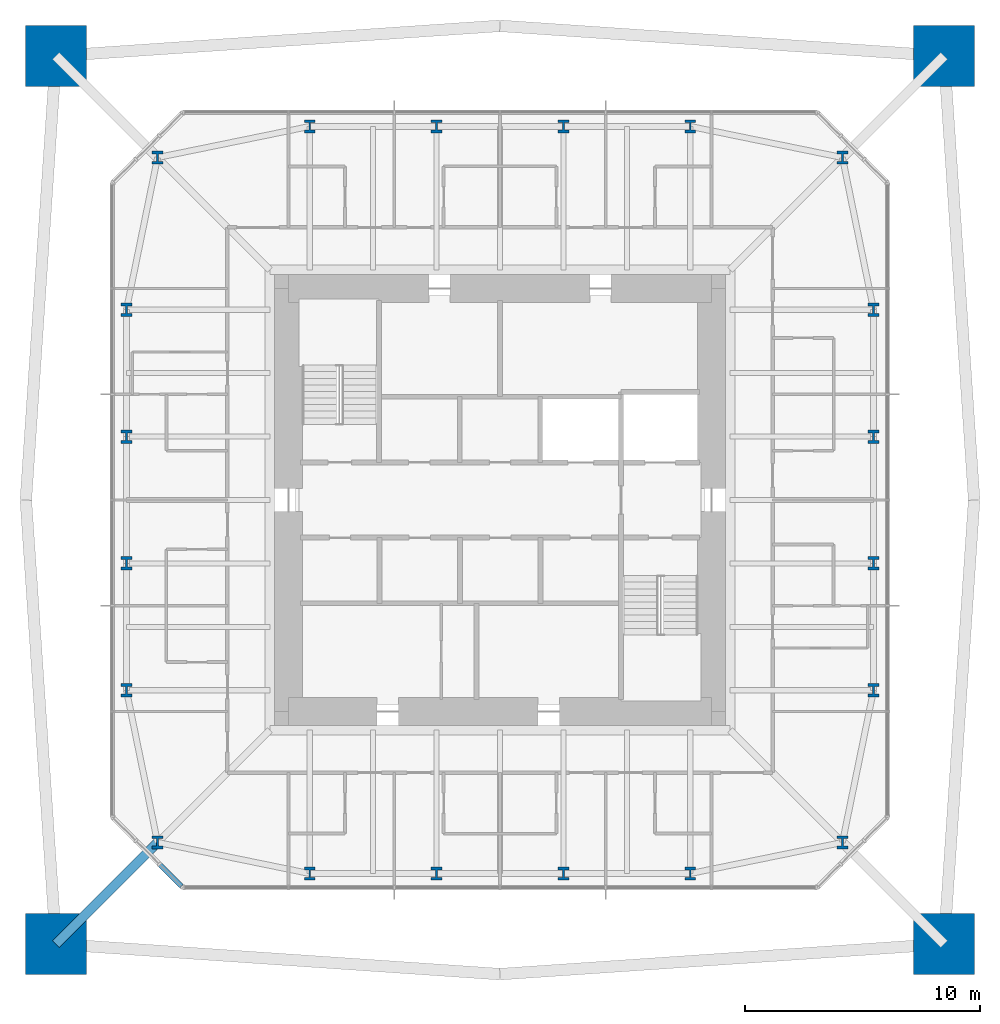
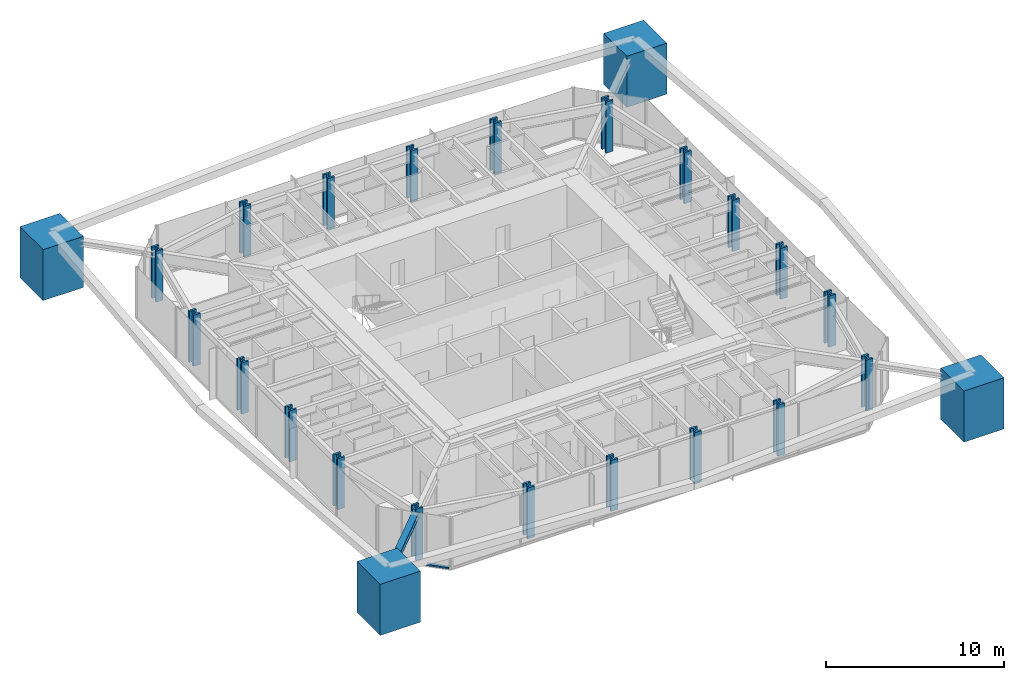
# One storey, part 1 of 11: 24 columns, 2 members, 1 element without a shape of its own.
"""IFC4 building model written with IfcOpenShell, lengths in metres."""

from ifc_helpers import new_model, si_unit, direction, frame, origin, origin_2d, place, context, subcontext, project, spatial, rectangle, i_section, extrude, material, material_profile, profile_set, type_object, element, aggregate, save


model = new_model("IFC4")

# Units and contexts
model_context = context("Model", 3, precision=1e-05, world=origin(), true_north=direction((0.0, 1.0)))
body_context = subcontext(model_context, "Body", "Model", "MODEL_VIEW")
ifc_project = project(units=[si_unit("LENGTHUNIT", "METRE"), si_unit("AREAUNIT", "SQUARE_METRE"), si_unit("VOLUMEUNIT", "CUBIC_METRE"), si_unit("PLANEANGLEUNIT", "RADIAN"), si_unit("MASSUNIT", "GRAM", prefix="KILO")], contexts=[model_context])

# Site, building, storey
site_placement = place(None, origin())
site = spatial("IfcSite", under=ifc_project, at=site_placement, CompositionType="ELEMENT")
building_placement = place(site_placement, origin())
building = spatial("IfcBuilding", under=site, at=building_placement, Name="Iwan Alto Co-Living Towers", CompositionType="ELEMENT")
storey_placement = place(building_placement, frame((0.0, 0.0, 222.0)))
storey = spatial("IfcBuildingStorey", under=building, at=storey_placement, Name="L60", CompositionType="ELEMENT", Elevation=222.0)

# Columns
ifc_material_1 = material(Name="Concrete f'c 70 MPa", Category="concrete")
ifc_material_profile_1 = material_profile(ifc_material_1, rectangle(XDim=2.60009765625, YDim=2.60009765625, at=origin_2d()), Name="RC 2600X2600")
ifc_profile_set_1 = profile_set([ifc_material_profile_1], Name="Concrete f'c 70 MPa")
column_type_1 = type_object("IfcColumnType", Name="T1 MEGA COLUMN RC 2600X2600", PredefinedType="COLUMN", material=ifc_profile_set_1)
for number, where, z_axis, x_axis, name in (
    (1, (-18.89990234375, -18.89990234375, 0.0), (0.0, 0.0, 1.0), (1.0, 0.0, 0.0), "T1 mega column SW L60"),
    (2, (18.89990234375, -18.89990234375, 0.0), (0.0, 0.0, 1.0), (1.0, 0.0, 0.0), "T1 mega column SE L60"),
    (3, (18.89990234375, 18.89990234375, 0.0), (0.0, 0.0, 1.0), (1.0, 0.0, 0.0), "T1 mega column NE L60"),
    (4, (-18.89990234375, 18.89990234375, 0.0), (0.0, 0.0, 1.0), (1.0, 0.0, 0.0), "T1 mega column NW L60"),
):
    element("IfcColumn", number, at=place(storey_placement, frame(where, z_axis=z_axis, x_axis=x_axis)), inside=storey, type_object=column_type_1, Name=name, PredefinedType="COLUMN", context=body_context, shape_type="SweptSolid", body=[
        extrude(rectangle(XDim=2.60009765625, YDim=2.60009765625, at=origin_2d()), origin(), (0.0, 0.0, 1.0), 3.5),
        extrude(i_section(OverallWidth=0.4775390625, OverallDepth=0.599365234375, WebThickness=0.10009765625, FlangeThickness=0.139892578125, at=origin_2d()), origin(), (0.0, 0.0, 1.0), 3.5),
    ])
ifc_material_2 = material(Name="Steel ASTM A992 Gr 50", Category="steel")
ifc_material_profile_2 = material_profile(ifc_material_2, i_section(OverallWidth=0.45458984375, OverallDepth=0.56884765625, WebThickness=0.077880859375, FlangeThickness=0.124755859375, at=origin_2d()), Name="W14X730")
ifc_profile_set_2 = profile_set([ifc_material_profile_2], Name="Steel ASTM A992 Gr 50")
column_type_2 = type_object("IfcColumnType", Name="T1 RING COLUMN W14X730", PredefinedType="COLUMN", material=ifc_profile_set_2)
for number, where, z_axis, x_axis, name in (
    (5, (-14.57568359375, -14.57568359375, 0.0), (0.0, 0.0, 1.0), (1.0, 0.0, 0.0), "T1 ring column CSW L60"),
    (6, (-8.10009765625, -15.89990234375, 0.0), (0.0, 0.0, 1.0), (1.0, 0.0, 0.0), "T1 ring column S1 L60"),
    (7, (-2.699951171875, -15.89990234375, 0.0), (0.0, 0.0, 1.0), (1.0, 0.0, 0.0), "T1 ring column S2 L60"),
    (8, (2.699951171875, -15.89990234375, 0.0), (0.0, 0.0, 1.0), (1.0, 0.0, 0.0), "T1 ring column S3 L60"),
    (9, (8.10009765625, -15.89990234375, 0.0), (0.0, 0.0, 1.0), (1.0, 0.0, 0.0), "T1 ring column S4 L60"),
    (10, (14.57568359375, -14.57568359375, 0.0), (0.0, 0.0, 1.0), (1.0, 0.0, 0.0), "T1 ring column CSE L60"),
    (11, (15.89990234375, -8.10009765625, 0.0), (0.0, 0.0, 1.0), (1.0, 0.0, 0.0), "T1 ring column E1 L60"),
    (12, (15.89990234375, -2.699951171875, 0.0), (0.0, 0.0, 1.0), (1.0, 0.0, 0.0), "T1 ring column E2 L60"),
    (13, (15.89990234375, 2.699951171875, 0.0), (0.0, 0.0, 1.0), (1.0, 0.0, 0.0), "T1 ring column E3 L60"),
    (14, (15.89990234375, 8.10009765625, 0.0), (0.0, 0.0, 1.0), (1.0, 0.0, 0.0), "T1 ring column E4 L60"),
    (15, (14.57568359375, 14.57568359375, 0.0), (0.0, 0.0, 1.0), (1.0, 0.0, 0.0), "T1 ring column CNE L60"),
    (16, (8.10009765625, 15.89990234375, 0.0), (0.0, 0.0, 1.0), (1.0, 0.0, 0.0), "T1 ring column N1 L60"),
    (17, (2.699951171875, 15.89990234375, 0.0), (0.0, 0.0, 1.0), (1.0, 0.0, 0.0), "T1 ring column N2 L60"),
    (18, (-2.699951171875, 15.89990234375, 0.0), (0.0, 0.0, 1.0), (1.0, 0.0, 0.0), "T1 ring column N3 L60"),
    (19, (-8.10009765625, 15.89990234375, 0.0), (0.0, 0.0, 1.0), (1.0, 0.0, 0.0), "T1 ring column N4 L60"),
    (20, (-14.57568359375, 14.57568359375, 0.0), (0.0, 0.0, 1.0), (1.0, 0.0, 0.0), "T1 ring column CNW L60"),
    (21, (-15.89990234375, 8.10009765625, 0.0), (0.0, 0.0, 1.0), (1.0, 0.0, 0.0), "T1 ring column W1 L60"),
    (22, (-15.89990234375, 2.699951171875, 0.0), (0.0, 0.0, 1.0), (1.0, 0.0, 0.0), "T1 ring column W2 L60"),
    (23, (-15.89990234375, -2.699951171875, 0.0), (0.0, 0.0, 1.0), (1.0, 0.0, 0.0), "T1 ring column W3 L60"),
    (24, (-15.89990234375, -8.10009765625, 0.0), (0.0, 0.0, 1.0), (1.0, 0.0, 0.0), "T1 ring column W4 L60"),
):
    element("IfcColumn", number, at=place(storey_placement, frame(where, z_axis=z_axis, x_axis=x_axis)), inside=storey, type_object=column_type_2, Name=name, PredefinedType="COLUMN", context=body_context, shape_type="SweptSolid", body=[
        extrude(i_section(OverallWidth=0.45458984375, OverallDepth=0.56884765625, WebThickness=0.077880859375, FlangeThickness=0.124755859375, at=origin_2d()), origin(), (0.0, 0.0, 1.0), 3.5),
    ])

# Curtain wall, member
ifc_material_3 = material(Name="Bronze aluminium unitised frame", Category="aluminium")
curtain_wall_type = type_object("IfcCurtainWallType", Name="CURTAIN WALL CW-B", PredefinedType="NOTDEFINED", material=ifc_material_3)
curtain_wall_placement = place(storey_placement, origin())
curtain_wall = element("IfcCurtainWall", 25, at=curtain_wall_placement, inside=storey, type_object=curtain_wall_type, Name="T1 chamfer curtain wall SW L60", PredefinedType="NOTDEFINED")
ifc_material_4 = material(Name="Aluminium 6063-T6 bronze anodised", Category="aluminium")
ifc_material_profile_3 = material_profile(ifc_material_4, rectangle(XDim=0.199951171875, YDim=0.10009765625, at=origin_2d()), Name="AL 200X100")
ifc_profile_set_3 = profile_set([ifc_material_profile_3], Name="Aluminium 6063-T6 bronze anodised")
member_type_1 = type_object("IfcMemberType", Name="CW-B TRANSOM 200X100", PredefinedType="USERDEFINED", material=ifc_profile_set_3)
member_1_placement = place(storey_placement, frame((-14.4716796875, -15.5283203125, 0.050048828125), z_axis=(0.707106781187, -0.707106781187, 0.0), x_axis=(0.707106781187, 0.707106781187, 0.0)))
member_1 = element("IfcMember", 26, at=member_1_placement, type_object=member_type_1, Name="CW-B transom 3.1", ObjectType="TRANSOM", PredefinedType="USERDEFINED", context=body_context, shape_type="SweptSolid", body=[
    extrude(rectangle(XDim=0.199951171875, YDim=0.10009765625, at=origin_2d()), origin(), (0.0, 0.0, 1.0), 1.2939453125),
])
aggregate(curtain_wall, [member_1])

# Member
ifc_material_5 = material(Name="Steel ASTM A992 Gr 50", Category="steel")
ifc_material_profile_4 = material_profile(ifc_material_5, i_section(OverallWidth=0.393798828125, OverallDepth=0.3759765625, WebThickness=0.017333984375, FlangeThickness=0.027587890625, at=origin_2d()), Name="W14X145")
ifc_profile_set_4 = profile_set([ifc_material_profile_4], Name="Steel ASTM A992 Gr 50")
member_type_2 = type_object("IfcMemberType", Name="T1 MEGA COLUMN FLOOR TIE W14X145", PredefinedType="STRUT", material=ifc_profile_set_4)
member_2_placement = place(storey_placement, frame((-18.89990234375, -18.89990234375, 3.08203125), z_axis=(0.707106781187, 0.707106781187, 0.0), x_axis=(-0.707106781187, 0.707106781187, 0.0)))
element("IfcMember", 27, at=member_2_placement, inside=storey, type_object=member_type_2, Name="T1 mega column floor tie SW L61", PredefinedType="STRUT", context=body_context, shape_type="SweptSolid", body=[
    extrude(i_section(OverallWidth=0.393798828125, OverallDepth=0.3759765625, WebThickness=0.017333984375, FlangeThickness=0.027587890625, at=origin_2d()), origin(), (0.0, 0.0, 1.0), 6.115478515625),
])

save(model, "model.ifc")
